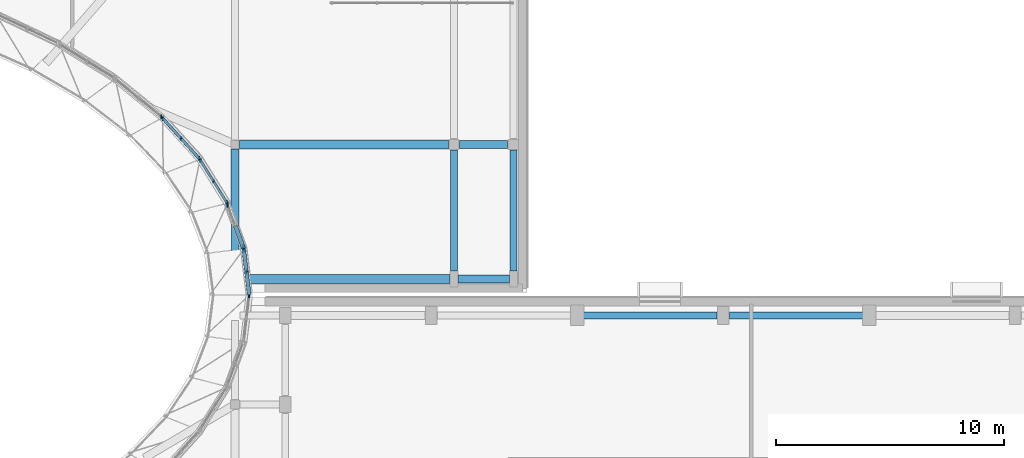
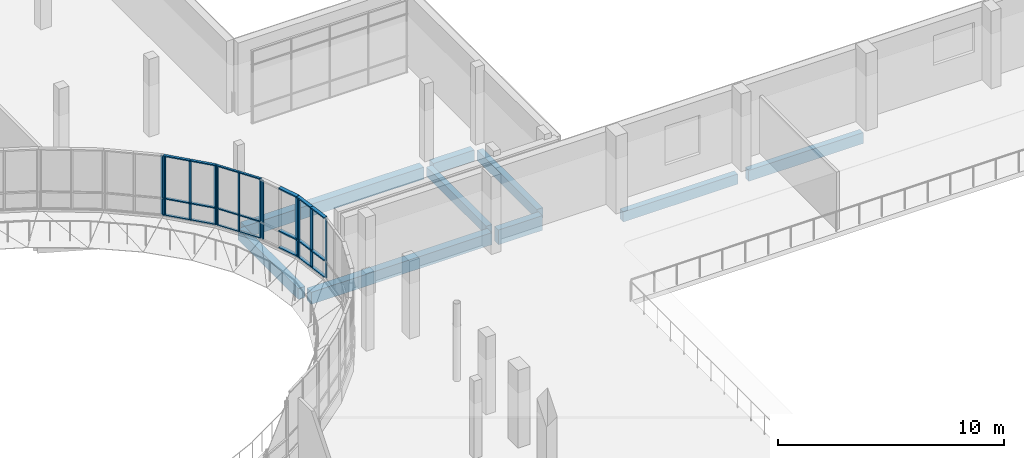
# One storey, part 26 of 84: 33 members, 9 beams, 6 elements without a shape of their own.
"""IFC4 building model written with IfcOpenShell, lengths in metres."""

import ifcopenshell
import ifcopenshell.guid

model = None  # the IFC model being written
_history = None  # IfcOwnerHistory: only IFC2X3 demands one
_inside = {}  # id of a spatial element -> (the spatial element, [elements in it])
_under = {}  # id of a project, library or spatial element -> (it, [spatial elements below it])
_declared = {}  # id of a project -> (the project, [libraries it declares])
_typed = {}  # id of a type object -> (the type object, [elements of that type])
_made_of = {}  # id of a material, layer set ... -> (it, [elements and type objects made of it])


def new_model(schema):
    """Start an empty IFC model of exactly this schema.

    Asked for "IFC4X3", IfcOpenShell would pick the latest addendum, in which some entities
    have other attributes; the version numbers below select the first issue.
    IFC2X3 requires an IfcOwnerHistory on every rooted entity: one is made here for all.
    """
    global model, _history
    if schema == "IFC4X3":
        model = ifcopenshell.file(schema_version=(4, 3, 0, 0))
    else:
        model = ifcopenshell.file(schema=schema)
    _inside.clear()
    _under.clear()
    _declared.clear()
    _typed.clear()
    _made_of.clear()
    _history = None
    if model.schema == "IFC2X3":
        org = make("IfcOrganization", Name="unknown")
        user = make(
            "IfcPersonAndOrganization",
            ThePerson=make("IfcPerson", FamilyName="unknown"),
            TheOrganization=org,
        )
        app = make(
            "IfcApplication",
            ApplicationDeveloper=org,
            Version="unknown",
            ApplicationFullName="unknown",
            ApplicationIdentifier="unknown",
        )
        _history = make(
            "IfcOwnerHistory",
            OwningUser=user,
            OwningApplication=app,
            ChangeAction="ADDED",
            CreationDate=0,
        )
    return model


def make(cls, **values):
    """One entity of the class cls with the attributes given. An attribute that is None is left unset."""
    return model.create_entity(
        cls, **{name: value for name, value in values.items() if value is not None}
    )


def rooted(cls, **values):
    """An entity with a GlobalId (a new one), such as an element, a storey or a relation."""
    return make(cls, GlobalId=ifcopenshell.guid.new(), OwnerHistory=_history, **values)


def si_unit(unit_type, name, prefix=None):
    """IfcSIUnit, for example si_unit("LENGTHUNIT", "METRE", prefix="MILLI")."""
    return make("IfcSIUnit", UnitType=unit_type, Prefix=prefix, Name=name)


def assignment(units):
    """IfcUnitAssignment: the units of a project."""
    return None if units is None else make("IfcUnitAssignment", Units=units)


def point(xyz):
    """IfcCartesianPoint."""
    return None if xyz is None else make("IfcCartesianPoint", Coordinates=xyz)


def direction(xyz):
    """IfcDirection."""
    return None if xyz is None else make("IfcDirection", DirectionRatios=xyz)


def frame(location, z_axis=None, x_axis=None):
    """IfcAxis2Placement3D, a coordinate frame: its origin and axes. An axis left out is left unset."""
    return make(
        "IfcAxis2Placement3D",
        Location=point(location),
        Axis=direction(z_axis),
        RefDirection=direction(x_axis),
    )


def frame_2d(location, x_axis=None):
    """IfcAxis2Placement2D, a coordinate frame in the plane: its origin and x axis."""
    return make(
        "IfcAxis2Placement2D", Location=point(location), RefDirection=direction(x_axis)
    )


def origin():
    """The frame at (0, 0, 0) with its axes left unset."""
    return frame((0.0, 0.0, 0.0))


def origin_2d():
    """The frame at (0, 0) in the plane with its x axis left unset."""
    return frame_2d((0.0, 0.0))


def place(relative_to, where):
    """IfcLocalPlacement: puts the frame where relative to a parent placement (None: the world)."""
    return make(
        "IfcLocalPlacement", PlacementRelTo=relative_to, RelativePlacement=where
    )


def context(
    kind, dimensions, precision=None, world=None, true_north=None, identifier=None
):
    """IfcGeometricRepresentationContext, for example the 3D "Model" context."""
    return make(
        "IfcGeometricRepresentationContext",
        ContextIdentifier=identifier,
        ContextType=kind,
        CoordinateSpaceDimension=dimensions,
        Precision=precision,
        WorldCoordinateSystem=world,
        TrueNorth=true_north,
    )


def subcontext(parent, identifier, kind, view, scale=None):
    """IfcGeometricRepresentationSubContext, for example "Body" below "Model"."""
    return make(
        "IfcGeometricRepresentationSubContext",
        ContextIdentifier=identifier,
        ContextType=kind,
        ParentContext=parent,
        TargetScale=scale,
        TargetView=view,
    )


def project(units=None, contexts=None):
    """IfcProject with its units and contexts."""
    return rooted(
        "IfcProject",
        Name="project",
        RepresentationContexts=contexts,
        UnitsInContext=assignment(units),
    )


def spatial(cls, under=None, at=None, **own):
    """A site, building, storey or space (cls), placed at a placement, below another one or the project."""
    s = rooted(cls, ObjectPlacement=at, **own)
    if under is not None:
        _under.setdefault(under.id(), (under, []))[1].append(s)
    return s


def profile(cls, at=None, kind="AREA", **sizes):
    """A parametric profile (cls). Its sizes go by their IFC names, for example OverallWidth=200.0."""
    return make(cls, ProfileType=kind, Position=at, **sizes)


def rectangle(**sizes):
    """IfcRectangleProfileDef."""
    return profile("IfcRectangleProfileDef", **sizes)


def extrude(swept, where, along, depth):
    """IfcExtrudedAreaSolid: the profile swept, set in the frame where, extruded along a direction by depth."""
    return make(
        "IfcExtrudedAreaSolid",
        SweptArea=swept,
        Position=where,
        ExtrudedDirection=direction(along),
        Depth=depth,
    )


def shape(context_of_items, identifier, shape_type, items):
    """IfcShapeRepresentation: the items that make up one representation, for example the "Body"."""
    return make(
        "IfcShapeRepresentation",
        ContextOfItems=context_of_items,
        RepresentationIdentifier=identifier,
        RepresentationType=shape_type,
        Items=items,
    )


def material(Name=None, Category=None):
    """IfcMaterial."""
    return make("IfcMaterial", Name=Name, Category=Category)


def material_profile(
    of_material, cross_section, Name=None, Category=None, Priority=None
):
    """IfcMaterialProfile: a cross section and its material."""
    return make(
        "IfcMaterialProfile",
        Name=Name,
        Material=of_material,
        Profile=cross_section,
        Priority=Priority,
        Category=Category,
    )


def profile_set(profiles, Name=None, composite=None):
    """IfcMaterialProfileSet."""
    return make(
        "IfcMaterialProfileSet",
        Name=Name,
        MaterialProfiles=profiles,
        CompositeProfile=composite,
    )


def made_of(thing, what):
    """Note that an element or type object is made of a material, layer set ...; save() writes the relation."""
    if what is not None:
        _made_of.setdefault(what.id(), (what, []))[1].append(thing)
    return thing


def type_object(cls, material=None, **own):
    """A type object (cls), such as IfcWallType, which elements share."""
    return made_of(rooted(cls, **own), material)


def element(
    cls,
    number,
    at=None,
    inside=None,
    cuts=None,
    type_object=None,
    material=None,
    context=None,
    identifier="Body",
    shape_type=None,
    held_by="IfcProductDefinitionShape",
    body=None,
    shapes=None,
    **own,
):
    """One element of the class cls, such as IfcWall. Its Tag is "e" and its number.

    at: its placement. inside: the storey or other place that contains it. cuts: it is an
    opening in that element (IfcRelVoidsElement). A single representation is given by context,
    identifier, shape_type and body (its items); several are given by shapes. held_by: the class
    of the entity that holds the representations. save() writes the other relations.
    """
    e = rooted(cls, Tag="e%d" % number, ObjectPlacement=at, **own)
    if body is not None:
        shapes = [shape(context, identifier, shape_type, body)]
    if shapes is not None:
        e.Representation = make(held_by, Representations=shapes)
    if inside is not None:
        _inside.setdefault(inside.id(), (inside, []))[1].append(e)
    if cuts is not None:
        rooted(
            "IfcRelVoidsElement", RelatingBuildingElement=cuts, RelatedOpeningElement=e
        )
    if type_object is not None:
        _typed.setdefault(type_object.id(), (type_object, []))[1].append(e)
    return made_of(e, material)


def aggregate(whole, parts):
    """IfcRelAggregates: a whole, such as a stair, and the parts it consists of."""
    return rooted("IfcRelAggregates", RelatingObject=whole, RelatedObjects=parts)


def save(model, path):
    """Write the relations noted so far, then the file.

    IfcRelAggregates (storeys below a building ...), IfcRelContainedInSpatialStructure (elements
    in a storey), IfcRelDefinesByType, IfcRelAssociatesMaterial and IfcRelDeclares: one each for
    every whole, place, type object, material and project.
    """
    for whole, parts in _under.values():
        aggregate(whole, parts)
    for where, things in _inside.values():
        rooted(
            "IfcRelContainedInSpatialStructure",
            RelatedElements=things,
            RelatingStructure=where,
        )
    for kind, things in _typed.values():
        rooted("IfcRelDefinesByType", RelatedObjects=things, RelatingType=kind)
    for what, things in _made_of.values():
        rooted("IfcRelAssociatesMaterial", RelatedObjects=things, RelatingMaterial=what)
    for by, libraries in _declared.values():
        rooted("IfcRelDeclares", RelatingContext=by, RelatedDefinitions=libraries)
    model.write(path)


model = new_model("IFC4")

# Units and contexts
model_context = context("Model", 3, precision=1e-05, world=origin(), true_north=direction((0.0, 1.0)))
body_context = subcontext(model_context, "Body", "Model", "MODEL_VIEW")
ifc_project = project(units=[si_unit("LENGTHUNIT", "METRE"), si_unit("AREAUNIT", "SQUARE_METRE"), si_unit("VOLUMEUNIT", "CUBIC_METRE"), si_unit("PLANEANGLEUNIT", "RADIAN"), si_unit("MASSUNIT", "GRAM", prefix="KILO")], contexts=[model_context])

# Site, building, storey
site_placement = place(None, origin())
site = spatial("IfcSite", under=ifc_project, at=site_placement, CompositionType="ELEMENT")
building_placement = place(site_placement, origin())
building = spatial("IfcBuilding", under=site, at=building_placement, Name="Mzevani Central Library", CompositionType="ELEMENT")
storey_placement = place(building_placement, frame((0.0, 0.0, 5.39990234375)))
storey = spatial("IfcBuildingStorey", under=building, at=storey_placement, Name="L01", CompositionType="ELEMENT", Elevation=5.39990234375)

# Beams
ifc_material_1 = material(Name="Concrete C35/45", Category="concrete")
ifc_material_profile_1 = material_profile(ifc_material_1, rectangle(XDim=0.300048828125, YDim=0.5, at=origin_2d()), Name="RC B300x500")
ifc_profile_set_1 = profile_set([ifc_material_profile_1], Name="Concrete C35/45")
beam_type_1 = type_object("IfcBeamType", Name="Beam RC 300x500", PredefinedType="BEAM", material=ifc_profile_set_1)
beam_1_placement = place(storey_placement, frame((121.60009765625, 77.050048828125, -0.52978515625), z_axis=(0.0, 1.0, 0.0), x_axis=(-1.0, 0.0, 0.0)))
element("IfcBeam", 1, at=beam_1_placement, inside=storey, type_object=beam_type_1, Name="L01 V3 Frame Beam B-01 (524)", PredefinedType="BEAM", context=body_context, shape_type="SweptSolid", body=[
    extrude(rectangle(XDim=0.300048828125, YDim=0.5, at=origin_2d()), origin(), (0.0, 0.0, 1.0), 5.300048828125),
])
ifc_material_profile_2 = material_profile(ifc_material_1, rectangle(XDim=0.300048828125, YDim=0.550048828125, at=origin_2d()), Name="RC B300x550")
ifc_profile_set_2 = profile_set([ifc_material_profile_2], Name="Concrete C35/45")
beam_type_2 = type_object("IfcBeamType", Name="Beam RC 300x550", PredefinedType="BEAM", material=ifc_profile_set_2)
beam_2_placement = place(storey_placement, frame((127.25, 75.10009765625, -0.534912109375), z_axis=(1.0, 0.0, 0.0), x_axis=(0.0, 1.0, 0.0)))
element("IfcBeam", 2, at=beam_2_placement, inside=storey, type_object=beam_type_2, Name="L01 V1 Girder B-02 (37)", PredefinedType="BEAM", context=body_context, shape_type="SweptSolid", body=[
    extrude(rectangle(XDim=0.300048828125, YDim=0.550048828125, at=origin_2d()), origin(), (0.0, 0.0, 1.0), 5.875),
])
beam_3_placement = place(storey_placement, frame((124.199951171875, 77.050048828125, -0.554931640625), z_axis=(0.0, 1.0, 0.0), x_axis=(-1.0, 0.0, 0.0)))
element("IfcBeam", 3, at=beam_3_placement, inside=storey, type_object=beam_type_2, Name="L01 V3 Frame Beam B-02 (529)", PredefinedType="BEAM", context=body_context, shape_type="SweptSolid", body=[
    extrude(rectangle(XDim=0.300048828125, YDim=0.550048828125, at=origin_2d()), origin(), (0.0, 0.0, 1.0), 5.300048828125),
])
ifc_material_profile_3 = material_profile(ifc_material_1, rectangle(XDim=0.300048828125, YDim=0.60009765625, at=origin_2d()), Name="RC B300x600")
ifc_profile_set_3 = profile_set([ifc_material_profile_3], Name="Concrete C35/45")
beam_type_3 = type_object("IfcBeamType", Name="Beam RC 300x600", PredefinedType="BEAM", material=ifc_profile_set_3)
beam_4_placement = place(storey_placement, frame((133.675048828125, 75.10009765625, -0.559814453125), z_axis=(1.0, 0.0, 0.0), x_axis=(0.0, 1.0, 0.0)))
element("IfcBeam", 4, at=beam_4_placement, inside=storey, type_object=beam_type_3, Name="L01 V1 Girder B-03 (38)", PredefinedType="BEAM", context=body_context, shape_type="SweptSolid", body=[
    extrude(rectangle(XDim=0.300048828125, YDim=0.60009765625, at=origin_2d()), origin(), (0.0, 0.0, 1.0), 5.875),
])
ifc_material_profile_4 = material_profile(ifc_material_1, rectangle(XDim=0.35009765625, YDim=0.60009765625, at=origin_2d()), Name="RC B350x600")
ifc_profile_set_4 = profile_set([ifc_material_profile_4], Name="Concrete C35/45")
beam_type_4 = type_object("IfcBeamType", Name="Beam RC 350x600", PredefinedType="BEAM", material=ifc_profile_set_4)
beam_5_placement = place(storey_placement, frame((121.85009765625, 82.60009765625, -0.579833984375), z_axis=(1.0, 0.0, 0.0), x_axis=(0.0, 1.0, 0.0)))
element("IfcBeam", 5, at=beam_5_placement, inside=storey, type_object=beam_type_4, Name="L01 V3 Girder B-04 (451)", PredefinedType="BEAM", context=body_context, shape_type="SweptSolid", body=[
    extrude(rectangle(XDim=0.35009765625, YDim=0.60009765625, at=origin_2d()), origin(), (0.0, 0.0, 1.0), 2.099853515625),
])
beam_6_placement = place(storey_placement, frame((112.0, 77.050048828125, -0.579833984375), z_axis=(0.0, 1.0, 0.0), x_axis=(-1.0, 0.0, 0.0)))
element("IfcBeam", 6, at=beam_6_placement, inside=storey, type_object=beam_type_4, Name="L01 V3 Frame Beam B-04 (519)", PredefinedType="BEAM", context=body_context, shape_type="SweptSolid", body=[
    extrude(rectangle(XDim=0.35009765625, YDim=0.60009765625, at=origin_2d()), origin(), (0.0, 0.0, 1.0), 5.349853515625),
])
ifc_material_profile_5 = material_profile(ifc_material_1, rectangle(XDim=0.39990234375, YDim=0.64990234375, at=origin_2d()), Name="RC B400x650")
ifc_profile_set_5 = profile_set([ifc_material_profile_5], Name="Concrete C35/45")
beam_type_5 = type_object("IfcBeamType", Name="Beam RC 400x650", PredefinedType="BEAM", material=ifc_profile_set_5)
beam_7_placement = place(storey_placement, frame((112.175048828125, 76.699951171875, -0.60498046875), z_axis=(1.0, 0.0, 0.0), x_axis=(0.0, 1.0, 0.0)))
element("IfcBeam", 7, at=beam_7_placement, inside=storey, type_object=beam_type_5, Name="L01 V3 Girder B-07 (446)", PredefinedType="BEAM", context=body_context, shape_type="SweptSolid", body=[
    extrude(rectangle(XDim=0.39990234375, YDim=0.64990234375, at=origin_2d()), origin(), (0.0, 0.0, 1.0), 9.25),
])
beam_8_placement = place(storey_placement, frame((112.199951171875, 82.60009765625, -0.60498046875), z_axis=(1.0, 0.0, 0.0), x_axis=(0.0, 1.0, 0.0)))
element("IfcBeam", 8, at=beam_8_placement, inside=storey, type_object=beam_type_5, Name="L01 V3 Girder B-07 (450)", PredefinedType="BEAM", context=body_context, shape_type="SweptSolid", body=[
    extrude(rectangle(XDim=0.39990234375, YDim=0.64990234375, at=origin_2d()), origin(), (0.0, 0.0, 1.0), 9.150146484375),
])

# Curtain wall, members
ifc_material_2 = material(Name="Thermally broken aluminium and Low-E triple glazing", Category="aluminium")
curtain_wall_type_1 = type_object("IfcCurtainWallType", Name="Elliptical Court Unitised Curtain Wall", PredefinedType="NOTDEFINED", material=ifc_material_2)
curtain_wall_1_placement = place(storey_placement, origin())
curtain_wall_1 = element("IfcCurtainWall", 9, at=curtain_wall_1_placement, inside=storey, type_object=curtain_wall_type_1, Name="L01 Elliptical Court Curtain Wall 3", PredefinedType="NOTDEFINED")
ifc_material_3 = material(Name="Thermally broken aluminium AW-6060", Category="aluminium")
ifc_material_profile_6 = material_profile(ifc_material_3, rectangle(XDim=0.06005859375, YDim=0.139892578125, at=origin_2d()), Name="ALU M60x140")
ifc_profile_set_6 = profile_set([ifc_material_profile_6], Name="Thermally broken aluminium AW-6060")
member_type_1 = type_object("IfcMemberType", Name="CW Mullion 60x140", PredefinedType="MULLION", material=ifc_profile_set_6)
member_1_placement = place(storey_placement, frame((111.6220703125, 80.0712890625, 0.72021484375), z_axis=(0.0, 0.0, 1.0), x_axis=(1.0, 0.0, 0.0)))
member_1 = element("IfcMember", 10, at=member_1_placement, type_object=member_type_1, Name="L01 Elliptical Court Curtain Wall 3 Mullion 1", PredefinedType="MULLION", context=body_context, shape_type="SweptSolid", body=[
    extrude(rectangle(XDim=0.06005859375, YDim=0.139892578125, at=origin_2d()), origin(), (0.0, 0.0, 1.0), 3.199951171875),
])
member_2_placement = place(storey_placement, frame((111.051513671875, 80.9833984375, 0.72021484375), z_axis=(0.0, 0.0, 1.0), x_axis=(1.0, 0.0, 0.0)))
member_2 = element("IfcMember", 11, at=member_2_placement, type_object=member_type_1, Name="L01 Elliptical Court Curtain Wall 3 Mullion 2", PredefinedType="MULLION", context=body_context, shape_type="SweptSolid", body=[
    extrude(rectangle(XDim=0.06005859375, YDim=0.139892578125, at=origin_2d()), origin(), (0.0, 0.0, 1.0), 3.199951171875),
])
member_3_placement = place(storey_placement, frame((110.48095703125, 81.8955078125, 0.72021484375), z_axis=(0.0, 0.0, 1.0), x_axis=(1.0, 0.0, 0.0)))
member_3 = element("IfcMember", 12, at=member_3_placement, type_object=member_type_1, Name="L01 Elliptical Court Curtain Wall 3 Mullion 3", PredefinedType="MULLION", context=body_context, shape_type="SweptSolid", body=[
    extrude(rectangle(XDim=0.06005859375, YDim=0.139892578125, at=origin_2d()), origin(), (0.0, 0.0, 1.0), 3.199951171875),
])

# Curtain wall, member
curtain_wall_2_placement = place(storey_placement, origin())
curtain_wall_2 = element("IfcCurtainWall", 13, at=curtain_wall_2_placement, inside=storey, type_object=curtain_wall_type_1, Name="L01 Elliptical Court Curtain Wall 48", PredefinedType="NOTDEFINED")
member_4_placement = place(storey_placement, frame((112.614013671875, 75.942626953125, 0.72021484375), z_axis=(0.0, 0.0, 1.0), x_axis=(1.0, 0.0, 0.0)))
member_4 = element("IfcMember", 14, at=member_4_placement, type_object=member_type_1, Name="L01 Elliptical Court Curtain Wall 48 Mullion 3", PredefinedType="MULLION", context=body_context, shape_type="SweptSolid", body=[
    extrude(rectangle(XDim=0.06005859375, YDim=0.139892578125, at=origin_2d()), origin(), (0.0, 0.0, 1.0), 3.199951171875),
])
aggregate(curtain_wall_2, [member_4])

# Curtain wall, members
curtain_wall_type_2 = type_object("IfcCurtainWallType", Name="Reading Hall Northlight Curtain Wall", PredefinedType="NOTDEFINED", material=ifc_material_2)
curtain_wall_3_placement = place(storey_placement, origin())
curtain_wall_3 = element("IfcCurtainWall", 15, at=curtain_wall_3_placement, inside=storey, type_object=curtain_wall_type_2, Name="L01 Elliptical Court Curtain Wall 4", PredefinedType="NOTDEFINED")
ifc_material_profile_7 = material_profile(ifc_material_3, rectangle(XDim=0.06005859375, YDim=0.159912109375, at=origin_2d()), Name="ALU M60x160")
ifc_profile_set_7 = profile_set([ifc_material_profile_7], Name="Thermally broken aluminium AW-6060")
member_type_2 = type_object("IfcMemberType", Name="CW Mullion 60x160", PredefinedType="MULLION", material=ifc_profile_set_7)
member_5_placement = place(storey_placement, frame((110.4169921875, 81.991943359375, 0.72021484375), z_axis=(0.0, 0.0, 1.0), x_axis=(1.0, 0.0, 0.0)))
member_5 = element("IfcMember", 16, at=member_5_placement, type_object=member_type_2, Name="L01 Elliptical Court Curtain Wall 4 Mullion 1", PredefinedType="MULLION", context=body_context, shape_type="SweptSolid", body=[
    extrude(rectangle(XDim=0.06005859375, YDim=0.159912109375, at=origin_2d()), origin(), (0.0, 0.0, 1.0), 3.199951171875),
])
member_6_placement = place(storey_placement, frame((109.629150390625, 82.85888671875, 0.72021484375), z_axis=(0.0, 0.0, 1.0), x_axis=(1.0, 0.0, 0.0)))
member_6 = element("IfcMember", 17, at=member_6_placement, type_object=member_type_2, Name="L01 Elliptical Court Curtain Wall 4 Mullion 2", PredefinedType="MULLION", context=body_context, shape_type="SweptSolid", body=[
    extrude(rectangle(XDim=0.06005859375, YDim=0.159912109375, at=origin_2d()), origin(), (0.0, 0.0, 1.0), 3.199951171875),
])
member_7_placement = place(storey_placement, frame((108.84130859375, 83.72607421875, 0.72021484375), z_axis=(0.0, 0.0, 1.0), x_axis=(1.0, 0.0, 0.0)))
member_7 = element("IfcMember", 18, at=member_7_placement, type_object=member_type_2, Name="L01 Elliptical Court Curtain Wall 4 Mullion 3", PredefinedType="MULLION", context=body_context, shape_type="SweptSolid", body=[
    extrude(rectangle(XDim=0.06005859375, YDim=0.159912109375, at=origin_2d()), origin(), (0.0, 0.0, 1.0), 3.199951171875),
])

# Curtain wall, member
curtain_wall_4_placement = place(storey_placement, origin())
curtain_wall_4 = element("IfcCurtainWall", 19, at=curtain_wall_4_placement, inside=storey, type_object=curtain_wall_type_1, Name="L01 Elliptical Court Curtain Wall 5", PredefinedType="NOTDEFINED")
ifc_material_profile_8 = material_profile(ifc_material_3, rectangle(XDim=0.06005859375, YDim=0.179931640625, at=origin_2d()), Name="ALU M60x180")
ifc_profile_set_8 = profile_set([ifc_material_profile_8], Name="Thermally broken aluminium AW-6060")
member_type_3 = type_object("IfcMemberType", Name="CW Mullion 60x180", PredefinedType="MULLION", material=ifc_profile_set_8)
member_8_placement = place(storey_placement, frame((108.76318359375, 83.812744140625, 0.72021484375), z_axis=(0.0, 0.0, 1.0), x_axis=(1.0, 0.0, 0.0)))
member_8 = element("IfcMember", 20, at=member_8_placement, type_object=member_type_3, Name="L01 Elliptical Court Curtain Wall 5 Mullion 1", PredefinedType="MULLION", context=body_context, shape_type="SweptSolid", body=[
    extrude(rectangle(XDim=0.06005859375, YDim=0.179931640625, at=origin_2d()), origin(), (0.0, 0.0, 1.0), 3.199951171875),
])
aggregate(curtain_wall_4, [member_8])

# Curtain wall, members
curtain_wall_5_placement = place(storey_placement, origin())
curtain_wall_5 = element("IfcCurtainWall", 21, at=curtain_wall_5_placement, inside=storey, type_object=curtain_wall_type_2, Name="L01 Elliptical Court Curtain Wall 1", PredefinedType="NOTDEFINED")
ifc_material_profile_9 = material_profile(ifc_material_3, rectangle(XDim=0.06494140625, YDim=0.199951171875, at=origin_2d()), Name="ALU M65x200")
ifc_profile_set_9 = profile_set([ifc_material_profile_9], Name="Thermally broken aluminium AW-6060")
member_type_4 = type_object("IfcMemberType", Name="CW Mullion 65x200", PredefinedType="MULLION", material=ifc_profile_set_9)
member_9_placement = place(storey_placement, frame((112.498291015625, 77.013671875, 0.72021484375), z_axis=(0.0, 0.0, 1.0), x_axis=(1.0, 0.0, 0.0)))
member_9 = element("IfcMember", 22, at=member_9_placement, type_object=member_type_4, Name="L01 Elliptical Court Curtain Wall 1 Mullion 2", PredefinedType="MULLION", context=body_context, shape_type="SweptSolid", body=[
    extrude(rectangle(XDim=0.06494140625, YDim=0.199951171875, at=origin_2d()), origin(), (0.0, 0.0, 1.0), 3.199951171875),
])
member_10_placement = place(storey_placement, frame((112.3828125, 77.969970703125, 0.72021484375), z_axis=(0.0, 0.0, 1.0), x_axis=(1.0, 0.0, 0.0)))
member_10 = element("IfcMember", 23, at=member_10_placement, type_object=member_type_4, Name="L01 Elliptical Court Curtain Wall 1 Mullion 3", PredefinedType="MULLION", context=body_context, shape_type="SweptSolid", body=[
    extrude(rectangle(XDim=0.06494140625, YDim=0.199951171875, at=origin_2d()), origin(), (0.0, 0.0, 1.0), 3.199951171875),
])

curtain_wall_6_placement = place(storey_placement, origin())
curtain_wall_6 = element("IfcCurtainWall", 24, at=curtain_wall_6_placement, inside=storey, type_object=curtain_wall_type_1, Name="L01 Elliptical Court Curtain Wall 2", PredefinedType="NOTDEFINED")
ifc_material_profile_10 = material_profile(ifc_material_3, rectangle(XDim=0.070068359375, YDim=0.219970703125, at=origin_2d()), Name="ALU M70x220")
ifc_profile_set_10 = profile_set([ifc_material_profile_10], Name="Thermally broken aluminium AW-6060")
member_type_5 = type_object("IfcMemberType", Name="CW Mullion 70x220", PredefinedType="MULLION", material=ifc_profile_set_10)
member_11_placement = place(storey_placement, frame((112.358642578125, 78.082275390625, 0.72021484375), z_axis=(0.0, 0.0, 1.0), x_axis=(1.0, 0.0, 0.0)))
member_11 = element("IfcMember", 25, at=member_11_placement, type_object=member_type_5, Name="L01 Elliptical Court Curtain Wall 2 Mullion 1", PredefinedType="MULLION", context=body_context, shape_type="SweptSolid", body=[
    extrude(rectangle(XDim=0.070068359375, YDim=0.219970703125, at=origin_2d()), origin(), (0.0, 0.0, 1.0), 3.199951171875),
])
member_12_placement = place(storey_placement, frame((111.668212890625, 79.965576171875, 0.72021484375), z_axis=(0.0, 0.0, 1.0), x_axis=(1.0, 0.0, 0.0)))
member_12 = element("IfcMember", 26, at=member_12_placement, type_object=member_type_5, Name="L01 Elliptical Court Curtain Wall 2 Mullion 3", PredefinedType="MULLION", context=body_context, shape_type="SweptSolid", body=[
    extrude(rectangle(XDim=0.070068359375, YDim=0.219970703125, at=origin_2d()), origin(), (0.0, 0.0, 1.0), 3.199951171875),
])

# Member
ifc_material_profile_11 = material_profile(ifc_material_3, rectangle(XDim=0.110107421875, YDim=0.06005859375, at=origin_2d()), Name="ALU T60x110")
ifc_profile_set_11 = profile_set([ifc_material_profile_11], Name="Thermally broken aluminium AW-6060")
member_type_6 = type_object("IfcMemberType", Name="CW Transom 60x110", PredefinedType="USERDEFINED", material=ifc_profile_set_11)
member_13_placement = place(storey_placement, frame((111.648681640625, 80.02880859375, 0.72021484375), z_axis=(-0.530349709822, 0.847778971956, 0.0), x_axis=(-0.847778971956, -0.530349709822, 0.0)))
member_13 = element("IfcMember", 27, at=member_13_placement, type_object=member_type_6, Name="L01 Elliptical Court Curtain Wall 3 Transom 1", ObjectType="TRANSOM", PredefinedType="USERDEFINED", context=body_context, shape_type="SweptSolid", body=[
    extrude(rectangle(XDim=0.110107421875, YDim=0.06005859375, at=origin_2d()), origin(), (0.0, 0.0, 1.0), 1.1259765625),
])

member_14_placement = place(storey_placement, frame((111.648681640625, 80.02880859375, 1.6201171875), z_axis=(-0.530349709822, 0.847778971956, 0.0), x_axis=(-0.847778971956, -0.530349709822, 0.0)))
member_14 = element("IfcMember", 28, at=member_14_placement, type_object=member_type_6, Name="L01 Elliptical Court Curtain Wall 3 Transom 2", ObjectType="TRANSOM", PredefinedType="USERDEFINED", context=body_context, shape_type="SweptSolid", body=[
    extrude(rectangle(XDim=0.110107421875, YDim=0.06005859375, at=origin_2d()), origin(), (0.0, 0.0, 1.0), 1.1259765625),
])

member_15_placement = place(storey_placement, frame((111.648681640625, 80.02880859375, 3.920166015625), z_axis=(-0.530349709822, 0.847778971956, 0.0), x_axis=(-0.847778971956, -0.530349709822, 0.0)))
member_15 = element("IfcMember", 29, at=member_15_placement, type_object=member_type_6, Name="L01 Elliptical Court Curtain Wall 3 Transom 3", ObjectType="TRANSOM", PredefinedType="USERDEFINED", context=body_context, shape_type="SweptSolid", body=[
    extrude(rectangle(XDim=0.110107421875, YDim=0.06005859375, at=origin_2d()), origin(), (0.0, 0.0, 1.0), 1.1259765625),
])

member_16_placement = place(storey_placement, frame((111.051513671875, 80.9833984375, 0.72021484375), z_axis=(-0.530193845731, 0.847876456772, 0.0), x_axis=(-0.847876456772, -0.530193845731, 0.0)))
member_16 = element("IfcMember", 30, at=member_16_placement, type_object=member_type_6, Name="L01 Elliptical Court Curtain Wall 3 Transom 4", ObjectType="TRANSOM", PredefinedType="USERDEFINED", context=body_context, shape_type="SweptSolid", body=[
    extrude(rectangle(XDim=0.110107421875, YDim=0.06005859375, at=origin_2d()), origin(), (0.0, 0.0, 1.0), 1.1259765625),
])

member_17_placement = place(storey_placement, frame((111.051513671875, 80.9833984375, 1.6201171875), z_axis=(-0.530193845731, 0.847876456772, 0.0), x_axis=(-0.847876456772, -0.530193845731, 0.0)))
member_17 = element("IfcMember", 31, at=member_17_placement, type_object=member_type_6, Name="L01 Elliptical Court Curtain Wall 3 Transom 5", ObjectType="TRANSOM", PredefinedType="USERDEFINED", context=body_context, shape_type="SweptSolid", body=[
    extrude(rectangle(XDim=0.110107421875, YDim=0.06005859375, at=origin_2d()), origin(), (0.0, 0.0, 1.0), 1.1259765625),
])

member_18_placement = place(storey_placement, frame((111.051513671875, 80.9833984375, 3.920166015625), z_axis=(-0.530193845731, 0.847876456772, 0.0), x_axis=(-0.847876456772, -0.530193845731, 0.0)))
member_18 = element("IfcMember", 32, at=member_18_placement, type_object=member_type_6, Name="L01 Elliptical Court Curtain Wall 3 Transom 6", ObjectType="TRANSOM", PredefinedType="USERDEFINED", context=body_context, shape_type="SweptSolid", body=[
    extrude(rectangle(XDim=0.110107421875, YDim=0.06005859375, at=origin_2d()), origin(), (0.0, 0.0, 1.0), 1.1259765625),
])

aggregate(curtain_wall_1, [member_1, member_2, member_3, member_13, member_14, member_15, member_16, member_17, member_18])

ifc_material_profile_12 = material_profile(ifc_material_3, rectangle(XDim=0.1298828125, YDim=0.06005859375, at=origin_2d()), Name="ALU T60x130")
ifc_profile_set_12 = profile_set([ifc_material_profile_12], Name="Thermally broken aluminium AW-6060")
member_type_7 = type_object("IfcMemberType", Name="CW Transom 60x130", PredefinedType="USERDEFINED", material=ifc_profile_set_12)
member_19_placement = place(storey_placement, frame((110.45068359375, 81.954833984375, 0.72021484375), z_axis=(-0.67252356476, 0.740075708858, 0.0), x_axis=(-0.740075708858, -0.67252356476, 0.0)))
member_19 = element("IfcMember", 33, at=member_19_placement, type_object=member_type_7, Name="L01 Elliptical Court Curtain Wall 4 Transom 1", ObjectType="TRANSOM", PredefinedType="USERDEFINED", context=body_context, shape_type="SweptSolid", body=[
    extrude(rectangle(XDim=0.1298828125, YDim=0.06005859375, at=origin_2d()), origin(), (0.0, 0.0, 1.0), 1.2216796875),
])

member_20_placement = place(storey_placement, frame((110.45068359375, 81.954833984375, 1.6201171875), z_axis=(-0.67252356476, 0.740075708858, 0.0), x_axis=(-0.740075708858, -0.67252356476, 0.0)))
member_20 = element("IfcMember", 34, at=member_20_placement, type_object=member_type_7, Name="L01 Elliptical Court Curtain Wall 4 Transom 2", ObjectType="TRANSOM", PredefinedType="USERDEFINED", context=body_context, shape_type="SweptSolid", body=[
    extrude(rectangle(XDim=0.1298828125, YDim=0.06005859375, at=origin_2d()), origin(), (0.0, 0.0, 1.0), 1.2216796875),
])

member_21_placement = place(storey_placement, frame((110.45068359375, 81.954833984375, 3.920166015625), z_axis=(-0.67252356476, 0.740075708858, 0.0), x_axis=(-0.740075708858, -0.67252356476, 0.0)))
member_21 = element("IfcMember", 35, at=member_21_placement, type_object=member_type_7, Name="L01 Elliptical Court Curtain Wall 4 Transom 3", ObjectType="TRANSOM", PredefinedType="USERDEFINED", context=body_context, shape_type="SweptSolid", body=[
    extrude(rectangle(XDim=0.1298828125, YDim=0.06005859375, at=origin_2d()), origin(), (0.0, 0.0, 1.0), 1.2216796875),
])

member_22_placement = place(storey_placement, frame((109.629150390625, 82.85888671875, 0.72021484375), z_axis=(-0.67252356476, 0.740075708858, 0.0), x_axis=(-0.740075708858, -0.67252356476, 0.0)))
member_22 = element("IfcMember", 36, at=member_22_placement, type_object=member_type_7, Name="L01 Elliptical Court Curtain Wall 4 Transom 4", ObjectType="TRANSOM", PredefinedType="USERDEFINED", context=body_context, shape_type="SweptSolid", body=[
    extrude(rectangle(XDim=0.1298828125, YDim=0.06005859375, at=origin_2d()), origin(), (0.0, 0.0, 1.0), 1.2216796875),
])

member_23_placement = place(storey_placement, frame((109.629150390625, 82.85888671875, 1.6201171875), z_axis=(-0.67252356476, 0.740075708858, 0.0), x_axis=(-0.740075708858, -0.67252356476, 0.0)))
member_23 = element("IfcMember", 37, at=member_23_placement, type_object=member_type_7, Name="L01 Elliptical Court Curtain Wall 4 Transom 5", ObjectType="TRANSOM", PredefinedType="USERDEFINED", context=body_context, shape_type="SweptSolid", body=[
    extrude(rectangle(XDim=0.1298828125, YDim=0.06005859375, at=origin_2d()), origin(), (0.0, 0.0, 1.0), 1.2216796875),
])

member_24_placement = place(storey_placement, frame((109.629150390625, 82.85888671875, 3.920166015625), z_axis=(-0.67252356476, 0.740075708858, 0.0), x_axis=(-0.740075708858, -0.67252356476, 0.0)))
member_24 = element("IfcMember", 38, at=member_24_placement, type_object=member_type_7, Name="L01 Elliptical Court Curtain Wall 4 Transom 6", ObjectType="TRANSOM", PredefinedType="USERDEFINED", context=body_context, shape_type="SweptSolid", body=[
    extrude(rectangle(XDim=0.1298828125, YDim=0.06005859375, at=origin_2d()), origin(), (0.0, 0.0, 1.0), 1.2216796875),
])

aggregate(curtain_wall_3, [member_5, member_6, member_7, member_19, member_20, member_21, member_22, member_23, member_24])

ifc_material_profile_13 = material_profile(ifc_material_3, rectangle(XDim=0.169921875, YDim=0.06494140625, at=origin_2d()), Name="ALU T65x170")
ifc_profile_set_13 = profile_set([ifc_material_profile_13], Name="Thermally broken aluminium AW-6060")
member_type_8 = type_object("IfcMemberType", Name="CW Transom 65x170", PredefinedType="USERDEFINED", material=ifc_profile_set_13)
member_25_placement = place(storey_placement, frame((112.619873046875, 76.0078125, 0.72021484375), z_axis=(-0.120000334448, 0.992773851253, 0.0), x_axis=(-0.992773851253, -0.120000334448, 0.0)))
member_25 = element("IfcMember", 39, at=member_25_placement, type_object=member_type_8, Name="L01 Elliptical Court Curtain Wall 1 Transom 1", ObjectType="TRANSOM", PredefinedType="USERDEFINED", context=body_context, shape_type="SweptSolid", body=[
    extrude(rectangle(XDim=0.169921875, YDim=0.06494140625, at=origin_2d()), origin(), (0.0, 0.0, 1.0), 1.01318359375),
])

member_26_placement = place(storey_placement, frame((112.619873046875, 76.0078125, 1.6201171875), z_axis=(-0.120000334448, 0.992773851253, 0.0), x_axis=(-0.992773851253, -0.120000334448, 0.0)))
member_26 = element("IfcMember", 40, at=member_26_placement, type_object=member_type_8, Name="L01 Elliptical Court Curtain Wall 1 Transom 2", ObjectType="TRANSOM", PredefinedType="USERDEFINED", context=body_context, shape_type="SweptSolid", body=[
    extrude(rectangle(XDim=0.169921875, YDim=0.06494140625, at=origin_2d()), origin(), (0.0, 0.0, 1.0), 1.01318359375),
])

member_27_placement = place(storey_placement, frame((112.619873046875, 76.0078125, 3.920166015625), z_axis=(-0.120000334448, 0.992773851253, 0.0), x_axis=(-0.992773851253, -0.120000334448, 0.0)))
member_27 = element("IfcMember", 41, at=member_27_placement, type_object=member_type_8, Name="L01 Elliptical Court Curtain Wall 1 Transom 3", ObjectType="TRANSOM", PredefinedType="USERDEFINED", context=body_context, shape_type="SweptSolid", body=[
    extrude(rectangle(XDim=0.169921875, YDim=0.06494140625, at=origin_2d()), origin(), (0.0, 0.0, 1.0), 1.01318359375),
])

member_28_placement = place(storey_placement, frame((112.498291015625, 77.013671875, 0.72021484375), z_axis=(-0.119762829535, 0.992802530548, 0.0), x_axis=(-0.992802530548, -0.119762829535, 0.0)))
member_28 = element("IfcMember", 42, at=member_28_placement, type_object=member_type_8, Name="L01 Elliptical Court Curtain Wall 1 Transom 4", ObjectType="TRANSOM", PredefinedType="USERDEFINED", context=body_context, shape_type="SweptSolid", body=[
    extrude(rectangle(XDim=0.169921875, YDim=0.06494140625, at=origin_2d()), origin(), (0.0, 0.0, 1.0), 1.01318359375),
])

member_29_placement = place(storey_placement, frame((112.498291015625, 77.013671875, 1.6201171875), z_axis=(-0.119762829535, 0.992802530548, 0.0), x_axis=(-0.992802530548, -0.119762829535, 0.0)))
member_29 = element("IfcMember", 43, at=member_29_placement, type_object=member_type_8, Name="L01 Elliptical Court Curtain Wall 1 Transom 5", ObjectType="TRANSOM", PredefinedType="USERDEFINED", context=body_context, shape_type="SweptSolid", body=[
    extrude(rectangle(XDim=0.169921875, YDim=0.06494140625, at=origin_2d()), origin(), (0.0, 0.0, 1.0), 1.01318359375),
])

member_30_placement = place(storey_placement, frame((112.498291015625, 77.013671875, 3.920166015625), z_axis=(-0.119762829535, 0.992802530548, 0.0), x_axis=(-0.992802530548, -0.119762829535, 0.0)))
member_30 = element("IfcMember", 44, at=member_30_placement, type_object=member_type_8, Name="L01 Elliptical Court Curtain Wall 1 Transom 6", ObjectType="TRANSOM", PredefinedType="USERDEFINED", context=body_context, shape_type="SweptSolid", body=[
    extrude(rectangle(XDim=0.169921875, YDim=0.06494140625, at=origin_2d()), origin(), (0.0, 0.0, 1.0), 1.01318359375),
])

aggregate(curtain_wall_5, [member_9, member_10, member_25, member_26, member_27, member_28, member_29, member_30])

ifc_material_profile_14 = material_profile(ifc_material_3, rectangle(XDim=0.18994140625, YDim=0.070068359375, at=origin_2d()), Name="ALU T70x190")
ifc_profile_set_14 = profile_set([ifc_material_profile_14], Name="Thermally broken aluminium AW-6060")
member_type_9 = type_object("IfcMemberType", Name="CW Transom 70x190", PredefinedType="USERDEFINED", material=ifc_profile_set_14)
member_31_placement = place(storey_placement, frame((112.375732421875, 78.035400390625, 0.72021484375), z_axis=(-0.344125187057, 0.938923775198, 0.0), x_axis=(-0.938923775198, -0.344125187057, 0.0)))
member_31 = element("IfcMember", 45, at=member_31_placement, type_object=member_type_9, Name="L01 Elliptical Court Curtain Wall 2 Transom 1", ObjectType="TRANSOM", PredefinedType="USERDEFINED", context=body_context, shape_type="SweptSolid", body=[
    extrude(rectangle(XDim=0.18994140625, YDim=0.070068359375, at=origin_2d()), origin(), (0.0, 0.0, 1.0), 1.052734375),
])

member_32_placement = place(storey_placement, frame((112.375732421875, 78.035400390625, 1.6201171875), z_axis=(-0.344125187057, 0.938923775198, 0.0), x_axis=(-0.938923775198, -0.344125187057, 0.0)))
member_32 = element("IfcMember", 46, at=member_32_placement, type_object=member_type_9, Name="L01 Elliptical Court Curtain Wall 2 Transom 2", ObjectType="TRANSOM", PredefinedType="USERDEFINED", context=body_context, shape_type="SweptSolid", body=[
    extrude(rectangle(XDim=0.18994140625, YDim=0.070068359375, at=origin_2d()), origin(), (0.0, 0.0, 1.0), 1.052734375),
])

member_33_placement = place(storey_placement, frame((112.375732421875, 78.035400390625, 3.920166015625), z_axis=(-0.344125187057, 0.938923775198, 0.0), x_axis=(-0.938923775198, -0.344125187057, 0.0)))
member_33 = element("IfcMember", 47, at=member_33_placement, type_object=member_type_9, Name="L01 Elliptical Court Curtain Wall 2 Transom 3", ObjectType="TRANSOM", PredefinedType="USERDEFINED", context=body_context, shape_type="SweptSolid", body=[
    extrude(rectangle(XDim=0.18994140625, YDim=0.070068359375, at=origin_2d()), origin(), (0.0, 0.0, 1.0), 1.052734375),
])

aggregate(curtain_wall_6, [member_11, member_12, member_31, member_32, member_33])

# Beam
ifc_material_4 = material(Name="Precast concrete C40/50", Category="concrete")
ifc_material_profile_15 = material_profile(ifc_material_4, rectangle(XDim=0.35009765625, YDim=0.800048828125, at=origin_2d()), Name="RC SP350x800")
ifc_profile_set_15 = profile_set([ifc_material_profile_15], Name="Precast concrete C40/50")
beam_type_6 = type_object("IfcBeamType", Name="Colonnade Fascia Beam RC 350x800", PredefinedType="SPANDREL", material=ifc_profile_set_15)
beam_9_placement = place(storey_placement, frame((121.77490234375, 76.699951171875, -0.679931640625), z_axis=(1.0, 0.0, 0.0), x_axis=(0.0, 1.0, 0.0)))
element("IfcBeam", 48, at=beam_9_placement, inside=storey, type_object=beam_type_6, Name="L01 V3 Girder SP-02 (447)", PredefinedType="SPANDREL", context=body_context, shape_type="SweptSolid", body=[
    extrude(rectangle(XDim=0.35009765625, YDim=0.800048828125, at=origin_2d()), origin(), (0.0, 0.0, 1.0), 2.25),
])

save(model, "model.ifc")
